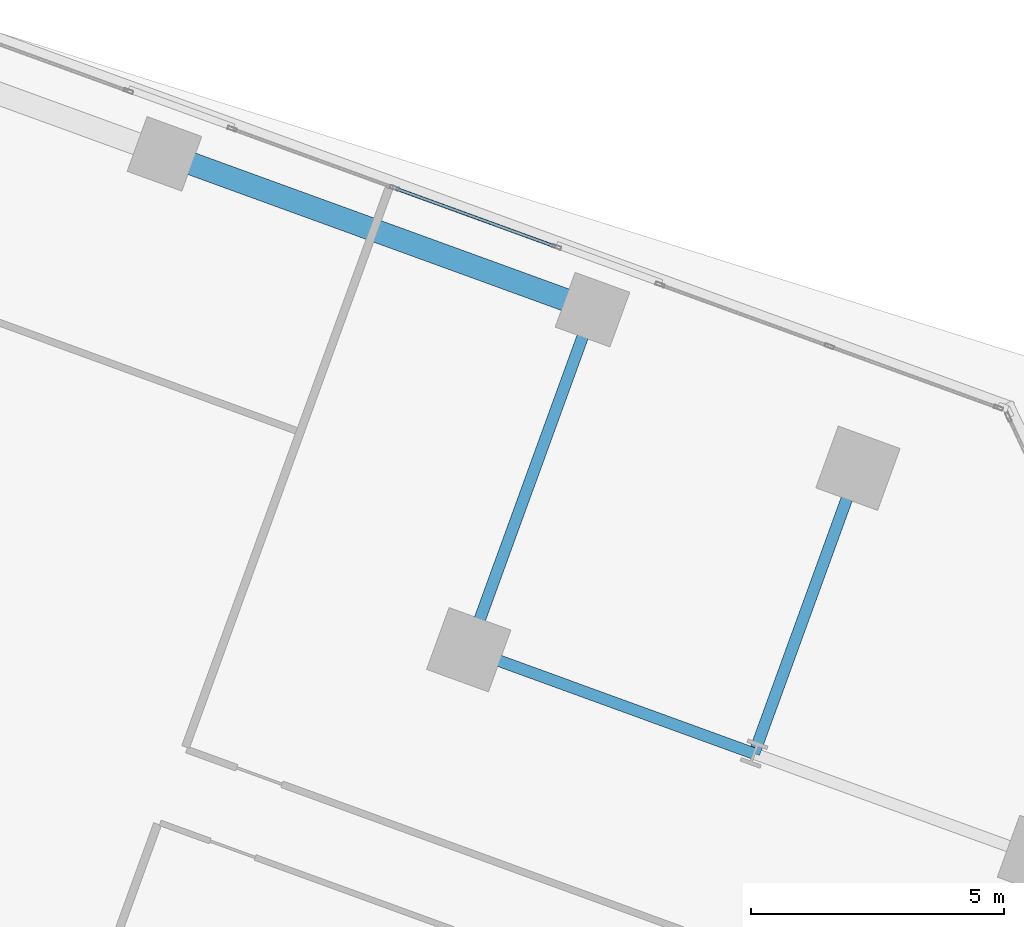
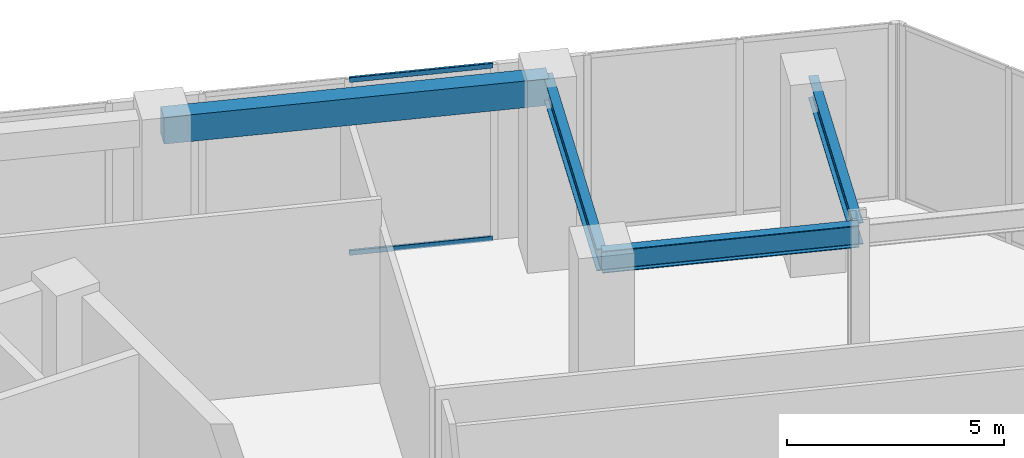
# One storey, part 10 of 21: 4 beams, 2 members, 1 element without a shape of its own.
"""IFC4 building model written with IfcOpenShell, lengths in metres."""

from ifc_helpers import new_model, si_unit, direction, frame, origin, origin_2d, place, context, subcontext, project, spatial, rectangle, hollow_rectangle, i_section, extrude, source, transform, mapped, material, material_profile, profile_set, type_object, element, aggregate, save


model = new_model("IFC4")

# Units and contexts
model_context = context("Model", 3, precision=1e-05, world=origin(), true_north=direction((0.0, 1.0)))
body_context = subcontext(model_context, "Body", "Model", "MODEL_VIEW")
ifc_project = project(units=[si_unit("LENGTHUNIT", "METRE"), si_unit("AREAUNIT", "SQUARE_METRE"), si_unit("VOLUMEUNIT", "CUBIC_METRE"), si_unit("PLANEANGLEUNIT", "RADIAN"), si_unit("MASSUNIT", "GRAM", prefix="KILO")], contexts=[model_context])

# Site, building, storey
site_placement = place(None, origin())
site = spatial("IfcSite", under=ifc_project, at=site_placement, CompositionType="ELEMENT")
building_placement = place(site_placement, origin())
building = spatial("IfcBuilding", under=site, at=building_placement, Name="Torre Montelarca", CompositionType="ELEMENT")
storey_placement = place(building_placement, frame((0.0, 0.0, 127.60009765625)))
storey = spatial("IfcBuildingStorey", under=building, at=storey_placement, Name="L28", CompositionType="ELEMENT", Elevation=127.60009765625)

# Beams
ifc_material_1 = material(Name="Steel ASTM A992 Grade 50", Category="steel")
ifc_material_profile_1 = material_profile(ifc_material_1, i_section(OverallWidth=0.22998046875, OverallDepth=0.616943359375, WebThickness=0.01318359375, FlangeThickness=0.022216796875, FilletRadius=0.014892578125, at=origin_2d()), Name="W610X140", Category="steel")
ifc_profile_set_1 = profile_set([ifc_material_profile_1], Name="Steel ASTM A992 Grade 50")
beam_type_1 = type_object("IfcBeamType", Name="BM-G-W610", PredefinedType="BEAM", material=ifc_profile_set_1)
shared_shape_1 = source(origin(), body_context, "Body", "SweptSolid", [
    extrude(i_section(OverallWidth=0.22998046875, OverallDepth=0.616943359375, WebThickness=0.01318359375, FlangeThickness=0.022216796875, FilletRadius=0.014892578125, at=origin_2d()), origin(), (0.0, 0.0, 1.0), 6.0),
])
for number, where, z_axis, x_axis, name in (
    (1, (37.86181640625, 34.55810546875, 4.850830078125), (0.939699533273, -0.342001150825, 0.0), (0.342001150825, 0.939699533273, 0.0), "L28 Grid Girder X 36.0-42.0 at Y=40.0"),
    (2, (43.5, 32.506103515625, 4.850830078125), (0.342001150825, 0.939699533273, 0.0), (-0.939699533273, 0.342001150825, 0.0), "L28 Grid Girder Y 40.0-46.0 at X=42.0"),
):
    element("IfcBeam", number, at=place(storey_placement, frame(where, z_axis=z_axis, x_axis=x_axis)), inside=storey, type_object=beam_type_1, Name=name, PredefinedType="BEAM", context=body_context, shape_type="MappedRepresentation", body=[
        mapped(shared_shape_1, transform((0.0, 0.0, 0.0), scale=1.0)),
    ])
ifc_material_2 = material(Name="Concrete C55/67", Category="concrete")
ifc_material_profile_2 = material_profile(ifc_material_2, rectangle(XDim=0.449951171875, YDim=0.75, at=origin_2d()), Name="RCB450X750", Category="concrete")
ifc_profile_set_2 = profile_set([ifc_material_profile_2], Name="Concrete C55/67")
beam_type_2 = type_object("IfcBeamType", Name="BM-SP-RC750-EXT", PredefinedType="SPANDREL", material=ifc_profile_set_2)
shared_shape_2 = source(origin(), body_context, "Body", "SweptSolid", [
    extrude(rectangle(XDim=0.449951171875, YDim=0.75, at=origin_2d()), origin(), (0.0, 0.0, 1.0), 9.0),
])
beam_1_placement = place(storey_placement, frame((31.849853515625, 44.355224609375, 4.784912109375), z_axis=(0.939695174234, -0.342013127703, 0.0), x_axis=(0.342013127703, 0.939695174234, 0.0)))
element("IfcBeam", 3, at=beam_1_placement, inside=storey, type_object=beam_type_2, Name="L28 Grid Girder X 27.0-36.0 at Y=47.1", PredefinedType="SPANDREL", context=body_context, shape_type="MappedRepresentation", body=[
    mapped(shared_shape_2, transform((0.0, 0.0, 0.0), scale=1.0)),
])
shared_shape_3 = source(origin(), body_context, "Body", "SweptSolid", [
    extrude(i_section(OverallWidth=0.22998046875, OverallDepth=0.616943359375, WebThickness=0.01318359375, FlangeThickness=0.022216796875, FilletRadius=0.014892578125, at=origin_2d()), origin(), (0.0, 0.0, 1.0), 7.150146484375),
])
beam_2_placement = place(storey_placement, frame((37.86181640625, 34.55810546875, 4.850830078125), z_axis=(0.341995274387, 0.939701671967, 0.0), x_axis=(-0.939701671967, 0.341995274387, 0.0)))
element("IfcBeam", 4, at=beam_2_placement, inside=storey, type_object=beam_type_1, Name="L28 Grid Girder Y 40.0-47.1 at X=36.0", PredefinedType="BEAM", context=body_context, shape_type="MappedRepresentation", body=[
    mapped(shared_shape_3, transform((0.0, 0.0, 0.0), scale=1.0)),
])

# Curtain wall, members
ifc_material_3 = material(Name="Insulated low-E laminated glass", Category="glass")
curtain_wall_type = type_object("IfcCurtainWallType", Name="CW-SYS-Z2", PredefinedType="USERDEFINED", material=ifc_material_3)
curtain_wall_placement = place(storey_placement, origin())
curtain_wall = element("IfcCurtainWall", 5, at=curtain_wall_placement, inside=storey, type_object=curtain_wall_type, Name="L28 Curtain Wall Run CW-T3-L28-E08-B2", ObjectType="UNITISED GLAZING", PredefinedType="USERDEFINED")
ifc_material_4 = material(Name="Anodised aluminium AA 6063-T6", Category="aluminium")
ifc_material_profile_3 = material_profile(ifc_material_4, hollow_rectangle(XDim=0.06494140625, YDim=0.139892578125, WallThickness=0.00390625, InnerFilletRadius=0.00390625, OuterFilletRadius=0.008056640625, at=origin_2d()), Name="ALU65X140X4", Category="aluminium")
ifc_profile_set_3 = profile_set([ifc_material_profile_3], Name="Anodised aluminium AA 6063-T6")
member_type = type_object("IfcMemberType", Name="CWT-ALU140", PredefinedType="USERDEFINED", material=ifc_profile_set_3)
shared_shape_4 = source(origin(), body_context, "Body", "SweptSolid", [
    extrude(hollow_rectangle(XDim=0.06494140625, YDim=0.139892578125, WallThickness=0.00390625, InnerFilletRadius=0.00390625, OuterFilletRadius=0.008056640625, at=origin_2d()), origin(), (0.0, 0.0, 1.0), 3.34765625),
])
member_1_placement = place(storey_placement, frame((39.5693359375, 42.524658203125, 0.032470703125), z_axis=(-0.939710350716, 0.341971426815, 0.0), x_axis=(-0.341971426815, -0.939710350716, 0.0)))
member_1 = element("IfcMember", 6, at=member_1_placement, type_object=member_type, Name="CW transom 1.1", ObjectType="TRANSOM", PredefinedType="USERDEFINED", context=body_context, shape_type="MappedRepresentation", body=[
    mapped(shared_shape_4, transform((0.0, 0.0, 0.0), scale=1.0)),
])
member_2_placement = place(storey_placement, frame((39.5693359375, 42.524658203125, 4.887451171875), z_axis=(-0.939710350716, 0.341971426815, 0.0), x_axis=(-0.341971426815, -0.939710350716, 0.0)))
member_2 = element("IfcMember", 7, at=member_2_placement, type_object=member_type, Name="CW transom 1.2", ObjectType="TRANSOM", PredefinedType="USERDEFINED", context=body_context, shape_type="MappedRepresentation", body=[
    mapped(shared_shape_4, transform((0.0, 0.0, 0.0), scale=1.0)),
])
aggregate(curtain_wall, [member_1, member_2])

save(model, "model.ifc")
